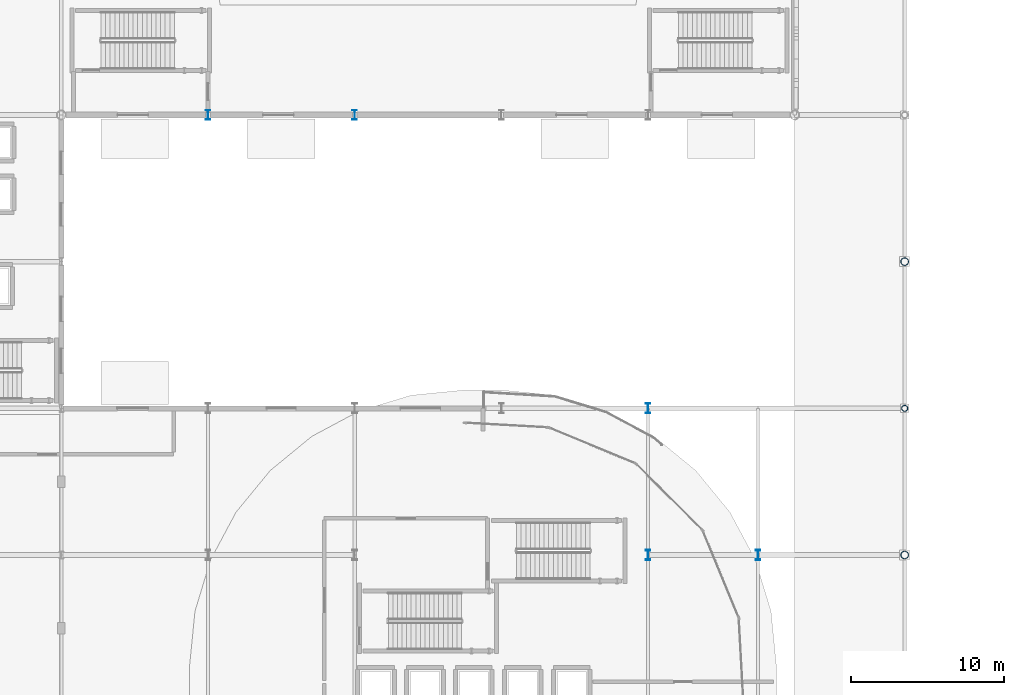
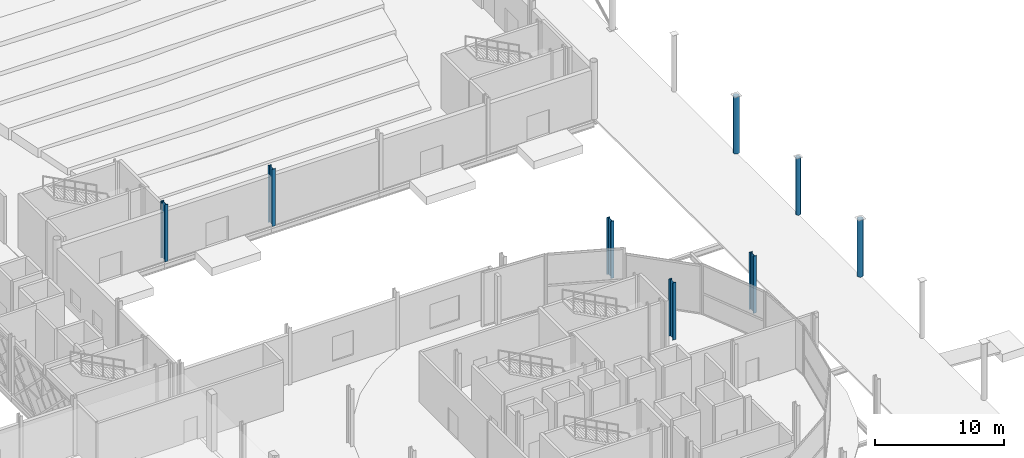
# One storey, part 23 of 84: 8 columns.
"""IFC4 building model written with IfcOpenShell, lengths in metres."""

from ifc_helpers import new_model, si_unit, direction, frame, origin, origin_2d, place, context, subcontext, project, spatial, hollow_circle, i_section, extrude, material, material_profile, profile_set, type_object, element, save


model = new_model("IFC4")

# Units and contexts
model_context = context("Model", 3, precision=1e-05, world=origin(), true_north=direction((0.0, 1.0)))
body_context = subcontext(model_context, "Body", "Model", "MODEL_VIEW")
ifc_project = project(units=[si_unit("LENGTHUNIT", "METRE"), si_unit("AREAUNIT", "SQUARE_METRE"), si_unit("VOLUMEUNIT", "CUBIC_METRE"), si_unit("PLANEANGLEUNIT", "RADIAN"), si_unit("MASSUNIT", "GRAM", prefix="KILO")], contexts=[model_context])

# Site, building, storey
site_placement = place(None, origin())
site = spatial("IfcSite", under=ifc_project, at=site_placement, CompositionType="ELEMENT")
building_placement = place(site_placement, origin())
building = spatial("IfcBuilding", under=site, at=building_placement, Name="Zevrakil Square Congress Hotel", CompositionType="ELEMENT")
storey_placement = place(building_placement, origin())
storey = spatial("IfcBuildingStorey", under=building, at=storey_placement, Name="L01", CompositionType="ELEMENT", Elevation=0.0)

# Columns
ifc_material_1 = material(Name="Steel S355", Category="steel")
ifc_material_profile_1 = material_profile(ifc_material_1, hollow_circle(Radius=0.203125, WallThickness=0.02001953125, at=origin_2d()), Name="CHS 406.4x20")
ifc_profile_set_1 = profile_set([ifc_material_profile_1], Name="Steel S355")
column_type_1 = type_object("IfcColumnType", Name="COL-CHS406", PredefinedType="COLUMN", material=ifc_profile_set_1)
column_placement = place(storey_placement, frame((172.800048828125, 45.60009765625, 0.0), z_axis=(0.0, 0.0, 1.0), x_axis=(1.0, 0.0, 0.0)))
element("IfcColumn", 1, at=column_placement, inside=storey, type_object=column_type_1, Name="L01 column C-247", PredefinedType="COLUMN", context=body_context, shape_type="SweptSolid", body=[
    extrude(hollow_circle(Radius=0.203125, WallThickness=0.02001953125, at=origin_2d()), origin(), (0.0, 0.0, 1.0), 5.39990234375),
])
ifc_material_2 = material(Name="Steel S355", Category="steel")
ifc_material_profile_2 = material_profile(ifc_material_2, hollow_circle(Radius=0.25390625, WallThickness=0.02001953125, at=origin_2d()), Name="CHS 508x20")
ifc_profile_set_2 = profile_set([ifc_material_profile_2], Name="Steel S355")
column_type_2 = type_object("IfcColumnType", Name="COL-CHS508", PredefinedType="COLUMN", material=ifc_profile_set_2)
for number, where, z_axis, x_axis, name in (
    (2, (172.800048828125, 36.0, 0.0), (0.0, 0.0, 1.0), (1.0, 0.0, 0.0), "L01 column C-246"),
    (3, (172.800048828125, 55.199951171875, 0.0), (0.0, 0.0, 1.0), (1.0, 0.0, 0.0), "L01 column C-248"),
):
    element("IfcColumn", number, at=place(storey_placement, frame(where, z_axis=z_axis, x_axis=x_axis)), inside=storey, type_object=column_type_2, Name=name, PredefinedType="COLUMN", context=body_context, shape_type="SweptSolid", body=[
        extrude(hollow_circle(Radius=0.25390625, WallThickness=0.02001953125, at=origin_2d()), origin(), (0.0, 0.0, 1.0), 5.39990234375),
    ])
ifc_material_3 = material(Name="Steel S355", Category="steel")
ifc_material_profile_3 = material_profile(ifc_material_3, i_section(OverallWidth=0.300048828125, OverallDepth=0.64990234375, WebThickness=0.01611328125, FlangeThickness=0.031005859375, FilletRadius=0.027099609375, at=origin_2d()), Name="HEB 650")
ifc_profile_set_3 = profile_set([ifc_material_profile_3], Name="Steel S355")
column_type_3 = type_object("IfcColumnType", Name="COL-HEB650", PredefinedType="COLUMN", material=ifc_profile_set_3)
for number, where, z_axis, x_axis, name in (
    (4, (127.199951171875, 64.800048828125, 0.0), (0.0, 0.0, 1.0), (1.0, 0.0, 0.0), "L01 column C-201"),
    (5, (136.800048828125, 64.800048828125, 0.0), (0.0, 0.0, 1.0), (1.0, 0.0, 0.0), "L01 column C-210"),
):
    element("IfcColumn", number, at=place(storey_placement, frame(where, z_axis=z_axis, x_axis=x_axis)), inside=storey, type_object=column_type_3, Name=name, PredefinedType="COLUMN", context=body_context, shape_type="SweptSolid", body=[
        extrude(i_section(OverallWidth=0.300048828125, OverallDepth=0.64990234375, WebThickness=0.01611328125, FlangeThickness=0.031005859375, FilletRadius=0.027099609375, at=origin_2d()), origin(), (0.0, 0.0, 1.0), 5.39990234375),
    ])
ifc_material_4 = material(Name="Steel S355", Category="steel")
ifc_material_profile_4 = material_profile(ifc_material_4, i_section(OverallWidth=0.304931640625, OverallDepth=0.66796875, WebThickness=0.02099609375, FlangeThickness=0.0400390625, FilletRadius=0.027099609375, at=origin_2d()), Name="HEM 650")
ifc_profile_set_4 = profile_set([ifc_material_profile_4], Name="Steel S355")
column_type_4 = type_object("IfcColumnType", Name="COL-HEM650", PredefinedType="COLUMN", material=ifc_profile_set_4)
for number, where, z_axis, x_axis, name in (
    (6, (156.0, 36.0, 0.0), (0.0, 0.0, 1.0), (1.0, 0.0, 0.0), "L01 column C-224"),
    (7, (156.0, 45.60009765625, 0.0), (0.0, 0.0, 1.0), (1.0, 0.0, 0.0), "L01 column C-225"),
    (8, (163.199951171875, 36.0, 0.0), (0.0, 0.0, 1.0), (1.0, 0.0, 0.0), "L01 column C-232"),
):
    element("IfcColumn", number, at=place(storey_placement, frame(where, z_axis=z_axis, x_axis=x_axis)), inside=storey, type_object=column_type_4, Name=name, PredefinedType="COLUMN", context=body_context, shape_type="SweptSolid", body=[
        extrude(i_section(OverallWidth=0.304931640625, OverallDepth=0.66796875, WebThickness=0.02099609375, FlangeThickness=0.0400390625, FilletRadius=0.027099609375, at=origin_2d()), origin(), (0.0, 0.0, 1.0), 5.39990234375),
    ])

save(model, "model.ifc")
